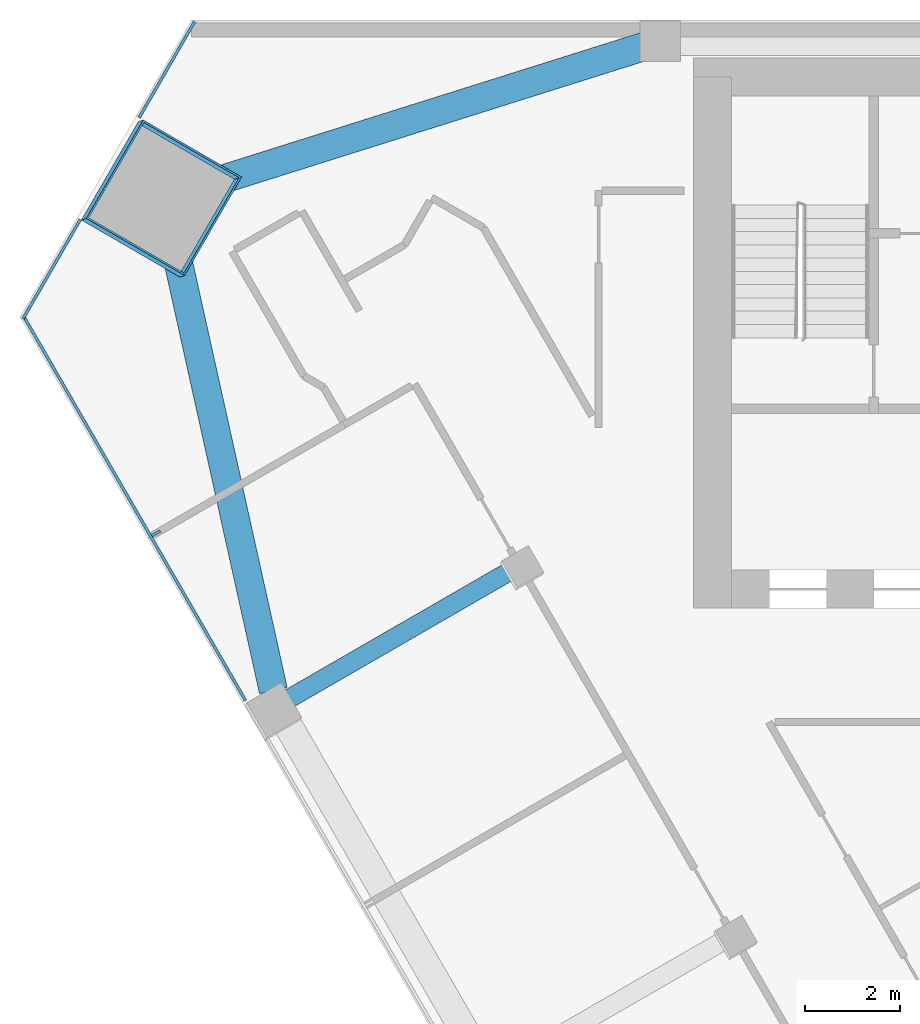
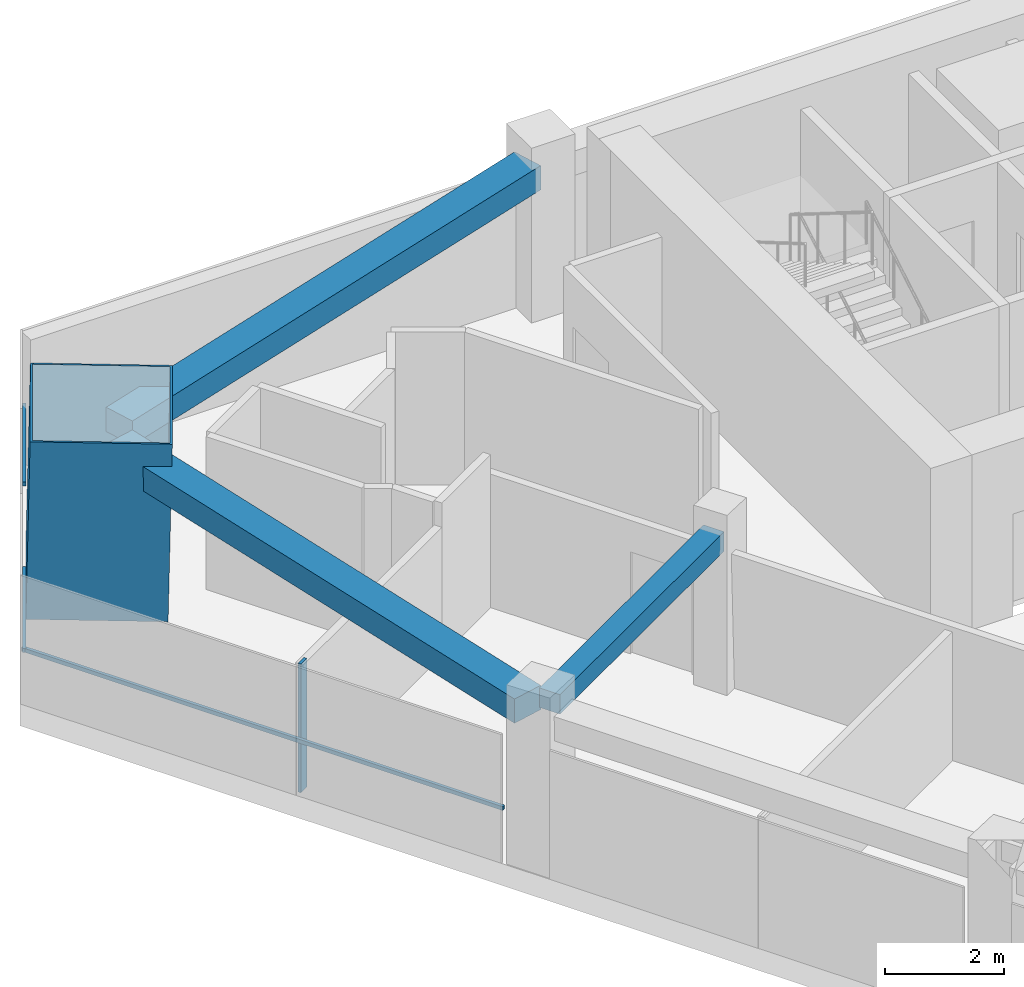
# One storey, part 5 of 13: 5 members, 3 beams, 2 elements without a shape of their own.
"""IFC4 building model written with IfcOpenShell, lengths in metres."""

from ifc_helpers import new_model, si_unit, direction, frame, origin, origin_2d, place, context, subcontext, project, spatial, rectangle, hollow_rectangle, extrude, material, layer, layer_set, material_profile, profile_set, type_object, element, aggregate, save


model = new_model("IFC4")

# Units and contexts
model_context = context("Model", 3, precision=1e-05, world=origin(), true_north=direction((0.0, 1.0)))
body_context = subcontext(model_context, "Body", "Model", "MODEL_VIEW")
ifc_project = project(units=[si_unit("LENGTHUNIT", "METRE"), si_unit("AREAUNIT", "SQUARE_METRE"), si_unit("VOLUMEUNIT", "CUBIC_METRE"), si_unit("PLANEANGLEUNIT", "RADIAN"), si_unit("MASSUNIT", "GRAM", prefix="KILO")], contexts=[model_context])

# Site, building, storey
site_placement = place(None, origin())
site = spatial("IfcSite", under=ifc_project, at=site_placement, CompositionType="ELEMENT")
building_placement = place(site_placement, origin())
building = spatial("IfcBuilding", under=site, at=building_placement, Name="Altiplano Prism Tower", CompositionType="ELEMENT")
storey_placement = place(building_placement, frame((0.0, 0.0, 156.60009765625)))
storey = spatial("IfcBuildingStorey", under=building, at=storey_placement, Name="L40", CompositionType="ELEMENT", Elevation=156.60009765625)

# Curtain wall, member
ifc_material_1 = material(Name="Aluminium and glass", Category="aluminium")
ifc_layer = layer(ifc_material_1, 0.303955078125)
ifc_layer_set = layer_set([ifc_layer], Name="Aluminium and glass")
curtain_wall_type = type_object("IfcCurtainWallType", Name="CW2 lounge-band unitised glazing", PredefinedType="NOTDEFINED", material=ifc_layer_set)
curtain_wall_1_placement = place(storey_placement, origin())
curtain_wall_1 = element("IfcCurtainWall", 1, at=curtain_wall_1_placement, inside=storey, type_object=curtain_wall_type, Name="CW2 curtain wall south-west face L40", PredefinedType="NOTDEFINED")
ifc_material_2 = material(Name="Aluminium", Category="aluminium")
ifc_material_profile_1 = material_profile(ifc_material_2, rectangle(XDim=0.199951171875, YDim=0.06005859375, at=origin_2d()), Name="CW2 mullion 60 x 200")
ifc_profile_set_1 = profile_set([ifc_material_profile_1], Name="Aluminium")
member_type_1 = type_object("IfcMemberType", Name="CW2 mullion 60 x 200", PredefinedType="MULLION", material=ifc_profile_set_1)
member_1_placement = place(storey_placement, frame((60.869873046875, 94.17822265625, 0.0), z_axis=(0.0, 0.0, 1.0), x_axis=(0.866025403025, 0.500000001315, 0.0)))
member_1 = element("IfcMember", 2, at=member_1_placement, type_object=member_type_1, Name="CW2 mullion", PredefinedType="MULLION", context=body_context, shape_type="SweptSolid", body=[
    extrude(rectangle(XDim=0.199951171875, YDim=0.06005859375, at=origin_2d()), origin(), (0.0, 0.0, 1.0), 2.64990234375),
])

# Curtain wall, members
curtain_wall_2_placement = place(storey_placement, origin())
curtain_wall_2 = element("IfcCurtainWall", 3, at=curtain_wall_2_placement, inside=storey, type_object=curtain_wall_type, Name="CW2 curtain wall north-west chamfer L40", PredefinedType="NOTDEFINED")
ifc_material_profile_2 = material_profile(ifc_material_2, rectangle(XDim=0.06005859375, YDim=0.080078125, at=origin_2d()), Name="CW2 transom 80 x 60")
ifc_profile_set_2 = profile_set([ifc_material_profile_2], Name="Aluminium")
member_type_2 = type_object("IfcMemberType", Name="CW2 transom 80 x 60", PredefinedType="USERDEFINED", material=ifc_profile_set_2)
member_2_placement = place(storey_placement, frame((61.679443359375, 104.962890625, 1.099853515625), z_axis=(-0.500075481643, -0.865981820051, 0.0), x_axis=(0.865981820051, -0.500075481643, 0.0)))
member_2 = element("IfcMember", 4, at=member_2_placement, type_object=member_type_2, Name="CW2 transom", ObjectType="TRANSOM", PredefinedType="USERDEFINED", context=body_context, shape_type="SweptSolid", body=[
    extrude(rectangle(XDim=0.06005859375, YDim=0.080078125, at=origin_2d()), origin(), (0.0, 0.0, 1.0), 2.334716796875),
])
member_3_placement = place(storey_placement, frame((59.272216796875, 100.79345703125, 1.099853515625), z_axis=(-0.500075445018, -0.865981841201, 0.0), x_axis=(0.865981841201, -0.500075445018, 0.0)))
member_3 = element("IfcMember", 5, at=member_3_placement, type_object=member_type_2, Name="CW2 transom", ObjectType="TRANSOM", PredefinedType="USERDEFINED", context=body_context, shape_type="SweptSolid", body=[
    extrude(rectangle(XDim=0.06005859375, YDim=0.080078125, at=origin_2d()), origin(), (0.0, 0.0, 1.0), 2.414794921875),
])
aggregate(curtain_wall_2, [member_2, member_3])

# Member
member_4_placement = place(storey_placement, frame((58.064697265625, 98.7763671875, 1.099853515625), z_axis=(0.500004824286, -0.866022618464, 0.0), x_axis=(0.866022618464, 0.500004824286, 0.0)))
member_4 = element("IfcMember", 6, at=member_4_placement, type_object=member_type_2, Name="CW2 transom", ObjectType="TRANSOM", PredefinedType="USERDEFINED", context=body_context, shape_type="SweptSolid", body=[
    extrude(rectangle(XDim=0.06005859375, YDim=0.080078125, at=origin_2d()), origin(), (0.0, 0.0, 1.0), 9.38037109375),
])

aggregate(curtain_wall_1, [member_1, member_4])

# Beams
ifc_material_3 = material(Name="Concrete C60/75", Category="concrete")
ifc_material_profile_3 = material_profile(ifc_material_3, rectangle(XDim=0.60009765625, YDim=0.5, at=origin_2d()), Name="Edge beam 600x500")
ifc_profile_set_3 = profile_set([ifc_material_profile_3], Name="Concrete C60/75")
beam_type_1 = type_object("IfcBeamType", Name="Edge beam 600x500", PredefinedType="SPANDREL", material=ifc_profile_set_3)
beam_1_placement = place(storey_placement, frame((71.189453125, 104.4521484375, 2.89990234375), z_axis=(-0.953774281983, -0.30052390758, 0.0), x_axis=(0.30052390758, -0.953774281983, 0.0)))
element("IfcBeam", 7, at=beam_1_placement, inside=storey, type_object=beam_type_1, Name="Edge beam P04-M0 L41", PredefinedType="SPANDREL", context=body_context, shape_type="SweptSolid", body=[
    extrude(rectangle(XDim=0.60009765625, YDim=0.5, at=origin_2d()), origin(), (0.0, 0.0, 1.0), 10.1953125),
])
beam_2_placement = place(storey_placement, frame((61.133544921875, 100.813720703125, 2.89990234375), z_axis=(0.216638871172, -0.976251811521, 0.0), x_axis=(0.976251811521, 0.216638871172, 0.0)))
element("IfcBeam", 8, at=beam_2_placement, inside=storey, type_object=beam_type_1, Name="Edge beam M0-P11 L41", PredefinedType="SPANDREL", context=body_context, shape_type="SweptSolid", body=[
    extrude(rectangle(XDim=0.60009765625, YDim=0.5, at=origin_2d()), origin(), (0.0, 0.0, 1.0), 10.195556640625),
])

# Member
ifc_material_4 = material(Name="Steel S460", Category="steel")
ifc_material_profile_4 = material_profile(ifc_material_4, hollow_rectangle(XDim=2.39990234375, YDim=2.39990234375, WallThickness=0.0400390625, at=origin_2d()), Name="Mega column tube 2400")
ifc_profile_set_4 = profile_set([ifc_material_profile_4], Name="Steel S460")
member_type_3 = type_object("IfcMemberType", Name="Mega column tube 2400", PredefinedType="POST", material=ifc_profile_set_4)
member_5_placement = place(storey_placement, frame((60.933837890625, 101.2197265625, 0.0), z_axis=(0.028403739082, 0.009219352065, 0.999554016126), x_axis=(-0.865120067412, 0.501167460176, 0.019961107742)))
element("IfcMember", 9, at=member_5_placement, inside=storey, type_object=member_type_3, Name="Mega column tube M0 L40", PredefinedType="POST", context=body_context, shape_type="SweptSolid", body=[
    extrude(hollow_rectangle(XDim=2.39990234375, YDim=2.39990234375, WallThickness=0.0400390625, at=origin_2d()), origin(), (0.0, 0.0, 1.0), 3.6015625),
])

# Beam
ifc_material_profile_5 = material_profile(ifc_material_3, rectangle(XDim=0.39990234375, YDim=0.39990234375, at=origin_2d()), Name="Tie beam 400x400")
ifc_profile_set_5 = profile_set([ifc_material_profile_5], Name="Concrete C60/75")
beam_type_2 = type_object("IfcBeamType", Name="Tie beam 400x400", PredefinedType="BEAM", material=ifc_profile_set_5)
beam_3_placement = place(storey_placement, frame((68.474609375, 93.465087890625, 2.949951171875), z_axis=(-0.866016055733, -0.50001619095, 0.0), x_axis=(0.50001619095, -0.866016055733, 0.0)))
element("IfcBeam", 10, at=beam_3_placement, inside=storey, type_object=beam_type_2, Name="Tie beam I11 L41", PredefinedType="BEAM", context=body_context, shape_type="SweptSolid", body=[
    extrude(rectangle(XDim=0.39990234375, YDim=0.39990234375, at=origin_2d()), origin(), (0.0, 0.0, 1.0), 5.539794921875),
])

save(model, "model.ifc")
